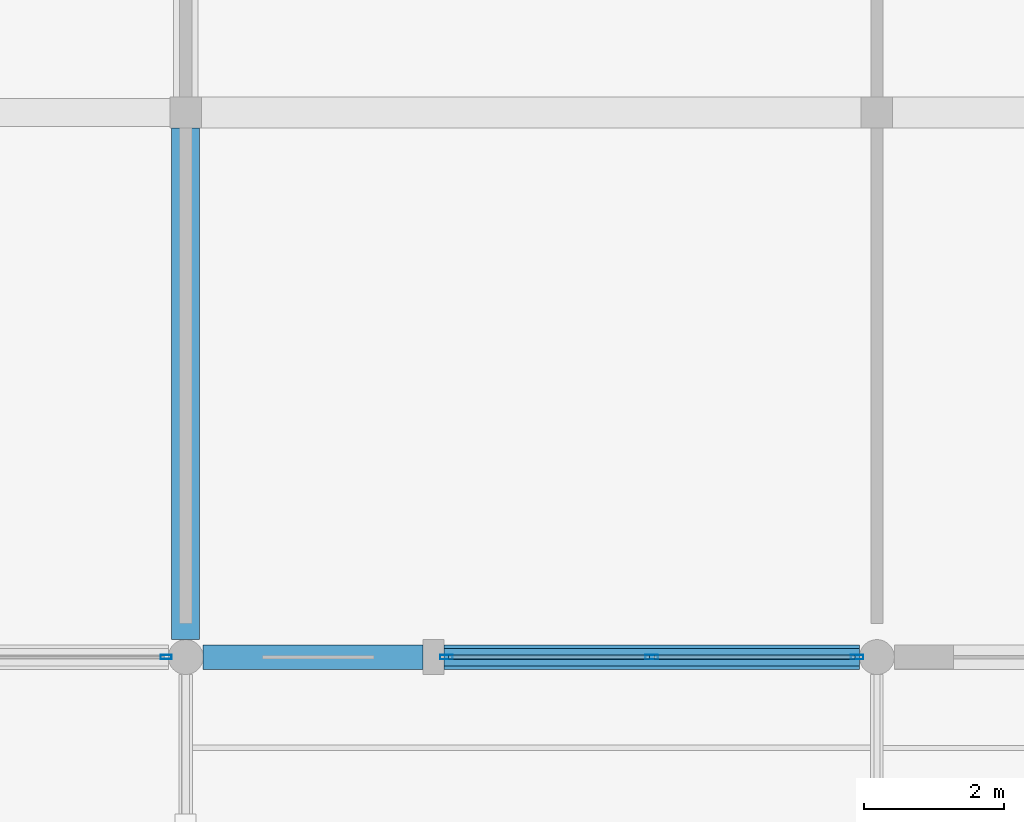
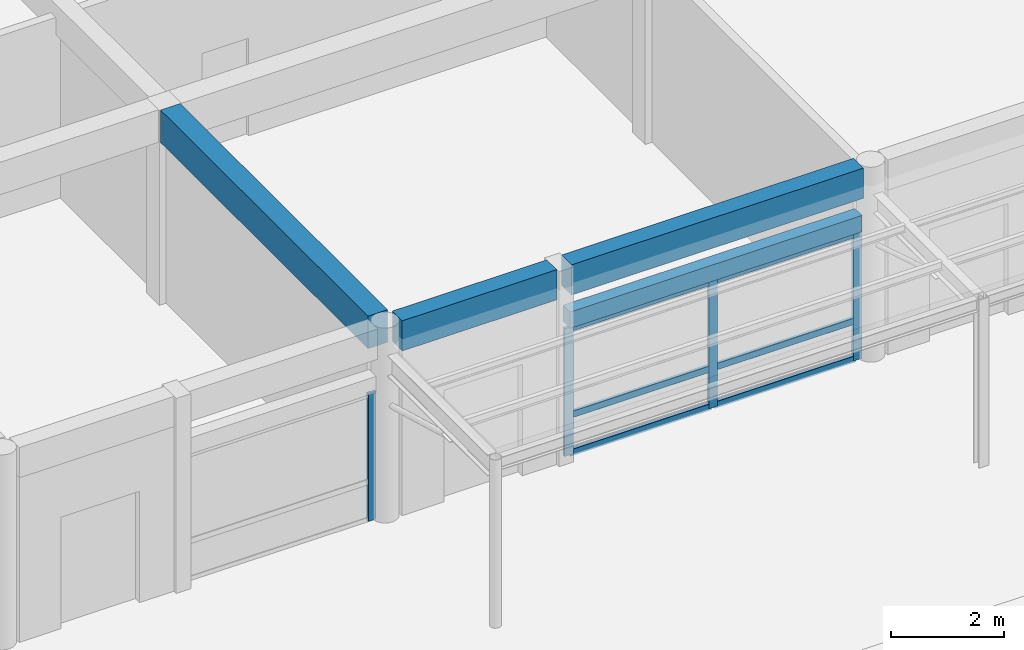
# One storey, part 17 of 75: 10 members, 4 beams, 2 elements without a shape of their own.
"""IFC4 building model written with IfcOpenShell, lengths in metres."""

from ifc_helpers import new_model, si_unit, direction, frame, origin, origin_2d, place, context, subcontext, project, spatial, rectangle, hollow_rectangle, extrude, material, material_profile, profile_set, type_object, element, aggregate, save


model = new_model("IFC4")

# Units and contexts
model_context = context("Model", 3, precision=1e-05, world=origin(), true_north=direction((0.0, 1.0)))
body_context = subcontext(model_context, "Body", "Model", "MODEL_VIEW")
ifc_project = project(units=[si_unit("LENGTHUNIT", "METRE"), si_unit("AREAUNIT", "SQUARE_METRE"), si_unit("VOLUMEUNIT", "CUBIC_METRE"), si_unit("PLANEANGLEUNIT", "RADIAN"), si_unit("MASSUNIT", "GRAM", prefix="KILO")], contexts=[model_context])

# Site, building, storey
site_placement = place(None, origin())
site = spatial("IfcSite", under=ifc_project, at=site_placement, CompositionType="ELEMENT")
building_placement = place(site_placement, origin())
building = spatial("IfcBuilding", under=site, at=building_placement, Name="Kernevlak Ridge Housing Community", CompositionType="ELEMENT")
storey_placement = place(building_placement, origin())
storey = spatial("IfcBuildingStorey", under=building, at=storey_placement, Name="L00", CompositionType="ELEMENT", Elevation=0.0)

# Beams
ifc_material_1 = material(Name="Concrete C35/45", Category="concrete")
ifc_material_profile_1 = material_profile(ifc_material_1, rectangle(XDim=0.39990234375, YDim=0.699951171875, at=origin_2d()), Name="RC 400x700")
ifc_profile_set_1 = profile_set([ifc_material_profile_1], Name="Concrete C35/45")
beam_type_1 = type_object("IfcBeamType", Name="B-01", PredefinedType="BEAM", material=ifc_profile_set_1)
beam_1_placement = place(storey_placement, frame((64.199951171875, 8.050048828125, 3.85009765625), z_axis=(0.0, 1.0, 0.0), x_axis=(-1.0, 0.0, 0.0)))
element("IfcBeam", 1, at=beam_1_placement, inside=storey, type_object=beam_type_1, Name="Beam B-01 L00 2313", PredefinedType="BEAM", context=body_context, shape_type="SweptSolid", body=[
    extrude(rectangle(XDim=0.39990234375, YDim=0.699951171875, at=origin_2d()), origin(), (0.0, 0.0, 1.0), 7.324951171875),
])
ifc_material_profile_2 = material_profile(ifc_material_1, rectangle(XDim=0.35009765625, YDim=0.64990234375, at=origin_2d()), Name="RC 350x650")
ifc_profile_set_2 = profile_set([ifc_material_profile_2], Name="Concrete C35/45")
beam_type_2 = type_object("IfcBeamType", Name="B-02", PredefinedType="BEAM", material=ifc_profile_set_2)
beam_2_placement = place(storey_placement, frame((64.449951171875, 7.800048828125, 3.875), z_axis=(1.0, 0.0, 0.0), x_axis=(0.0, 1.0, 0.0)))
element("IfcBeam", 2, at=beam_2_placement, inside=storey, type_object=beam_type_2, Name="Beam B-02 L00 2043", PredefinedType="BEAM", context=body_context, shape_type="SweptSolid", body=[
    extrude(rectangle(XDim=0.35009765625, YDim=0.64990234375, at=origin_2d()), origin(), (0.0, 0.0, 1.0), 3.150146484375),
])
beam_3_placement = place(storey_placement, frame((67.89990234375, 7.800048828125, 3.875), z_axis=(1.0, 0.0, 0.0), x_axis=(0.0, 1.0, 0.0)))
element("IfcBeam", 3, at=beam_3_placement, inside=storey, type_object=beam_type_2, Name="Beam B-02 L00 2044", PredefinedType="BEAM", context=body_context, shape_type="SweptSolid", body=[
    extrude(rectangle(XDim=0.35009765625, YDim=0.64990234375, at=origin_2d()), origin(), (0.0, 0.0, 1.0), 5.9501953125),
])
ifc_material_profile_3 = material_profile(ifc_material_1, rectangle(XDim=0.25, YDim=0.35009765625, at=origin_2d()), Name="RC 250x350")
ifc_profile_set_3 = profile_set([ifc_material_profile_3], Name="Concrete C35/45")
beam_type_3 = type_object("IfcBeamType", Name="LN-01", PredefinedType="LINTEL", material=ifc_profile_set_3)
beam_4_placement = place(storey_placement, frame((67.89990234375, 7.800048828125, 2.97509765625), z_axis=(1.0, 0.0, 0.0), x_axis=(0.0, 1.0, 0.0)))
element("IfcBeam", 4, at=beam_4_placement, inside=storey, type_object=beam_type_3, Name="Beam LN-01 L00 2460", PredefinedType="LINTEL", context=body_context, shape_type="SweptSolid", body=[
    extrude(rectangle(XDim=0.25, YDim=0.35009765625, at=origin_2d()), origin(), (0.0, 0.0, 1.0), 5.9501953125),
])

# Curtain wall, member
ifc_material_2 = material(Name="Aluminium EN AW-6060 anodised and laminated glass", Category="aluminium")
curtain_wall_type_1 = type_object("IfcCurtainWallType", Name="CW-01", PredefinedType="NOTDEFINED", material=ifc_material_2)
curtain_wall_1_placement = place(storey_placement, origin())
curtain_wall_1 = element("IfcCurtainWall", 5, at=curtain_wall_1_placement, inside=storey, type_object=curtain_wall_type_1, Name="Curtain wall CW-01 CW-L00-169", PredefinedType="NOTDEFINED")
ifc_material_3 = material(Name="Aluminium EN AW-6060 anodised", Category="aluminium")
ifc_material_profile_4 = material_profile(ifc_material_3, hollow_rectangle(XDim=0.06005859375, YDim=0.159912109375, WallThickness=0.00390625, InnerFilletRadius=0.001953125, OuterFilletRadius=0.00390625, at=origin_2d()), Name="ALU 60x160x4")
ifc_profile_set_4 = profile_set([ifc_material_profile_4], Name="Aluminium EN AW-6060 anodised")
member_type_1 = type_object("IfcMemberType", Name="MU-02", PredefinedType="MULLION", material=ifc_profile_set_4)
member_1_placement = place(storey_placement, frame((63.919921875, 7.800048828125, 0.0), z_axis=(0.0, 0.0, 1.0), x_axis=(0.0, 1.0, 0.0)))
member_1 = element("IfcMember", 6, at=member_1_placement, type_object=member_type_1, Name="CW-01 mullion 2", PredefinedType="MULLION", context=body_context, shape_type="SweptSolid", body=[
    extrude(hollow_rectangle(XDim=0.06005859375, YDim=0.159912109375, WallThickness=0.00390625, InnerFilletRadius=0.001953125, OuterFilletRadius=0.00390625, at=origin_2d()), origin(), (0.0, 0.0, 1.0), 2.75),
])
aggregate(curtain_wall_1, [member_1])

# Curtain wall, members
curtain_wall_type_2 = type_object("IfcCurtainWallType", Name="CW-02", PredefinedType="NOTDEFINED", material=ifc_material_2)
curtain_wall_2_placement = place(storey_placement, origin())
curtain_wall_2 = element("IfcCurtainWall", 7, at=curtain_wall_2_placement, inside=storey, type_object=curtain_wall_type_2, Name="Curtain wall CW-02 CW-L00-170", PredefinedType="NOTDEFINED")
ifc_material_profile_5 = material_profile(ifc_material_3, hollow_rectangle(XDim=0.06494140625, YDim=0.179931640625, WallThickness=0.00439453125, InnerFilletRadius=0.001953125, OuterFilletRadius=0.00439453125, at=origin_2d()), Name="ALU 65x180x4.5")
ifc_profile_set_5 = profile_set([ifc_material_profile_5], Name="Aluminium EN AW-6060 anodised")
member_type_2 = type_object("IfcMemberType", Name="MU-03", PredefinedType="MULLION", material=ifc_profile_set_5)
member_2_placement = place(storey_placement, frame((67.9326171875, 7.800048828125, 0.0), z_axis=(0.0, 0.0, 1.0), x_axis=(0.0, 1.0, 0.0)))
member_2 = element("IfcMember", 8, at=member_2_placement, type_object=member_type_2, Name="CW-02 mullion 1", PredefinedType="MULLION", context=body_context, shape_type="SweptSolid", body=[
    extrude(hollow_rectangle(XDim=0.06494140625, YDim=0.179931640625, WallThickness=0.00439453125, InnerFilletRadius=0.001953125, OuterFilletRadius=0.00439453125, at=origin_2d()), origin(), (0.0, 0.0, 1.0), 2.75),
])
member_3_placement = place(storey_placement, frame((70.875, 7.800048828125, 0.0), z_axis=(0.0, 0.0, 1.0), x_axis=(0.0, 1.0, 0.0)))
member_3 = element("IfcMember", 9, at=member_3_placement, type_object=member_type_2, Name="CW-02 mullion 2", PredefinedType="MULLION", context=body_context, shape_type="SweptSolid", body=[
    extrude(hollow_rectangle(XDim=0.06494140625, YDim=0.179931640625, WallThickness=0.00439453125, InnerFilletRadius=0.001953125, OuterFilletRadius=0.00439453125, at=origin_2d()), origin(), (0.0, 0.0, 1.0), 2.75),
])
member_4_placement = place(storey_placement, frame((73.8173828125, 7.800048828125, 0.0), z_axis=(0.0, 0.0, 1.0), x_axis=(0.0, 1.0, 0.0)))
member_4 = element("IfcMember", 10, at=member_4_placement, type_object=member_type_2, Name="CW-02 mullion 3", PredefinedType="MULLION", context=body_context, shape_type="SweptSolid", body=[
    extrude(hollow_rectangle(XDim=0.06494140625, YDim=0.179931640625, WallThickness=0.00439453125, InnerFilletRadius=0.001953125, OuterFilletRadius=0.00439453125, at=origin_2d()), origin(), (0.0, 0.0, 1.0), 2.75),
])
ifc_material_profile_6 = material_profile(ifc_material_3, hollow_rectangle(XDim=0.06494140625, YDim=0.139892578125, WallThickness=0.00390625, InnerFilletRadius=0.001953125, OuterFilletRadius=0.00390625, at=origin_2d()), Name="ALU 65x140x4")
ifc_profile_set_6 = profile_set([ifc_material_profile_6], Name="Aluminium EN AW-6060 anodised")
member_type_3 = type_object("IfcMemberType", Name="TM-03", PredefinedType="USERDEFINED", material=ifc_profile_set_6)
member_5_placement = place(storey_placement, frame((67.965087890625, 7.800048828125, 0.032470703125), z_axis=(1.0, 0.0, 0.0), x_axis=(0.0, 1.0, 0.0)))
member_5 = element("IfcMember", 11, at=member_5_placement, type_object=member_type_3, Name="CW-02 transom 1.1", ObjectType="TRANSOM", PredefinedType="USERDEFINED", context=body_context, shape_type="SweptSolid", body=[
    extrude(hollow_rectangle(XDim=0.06494140625, YDim=0.139892578125, WallThickness=0.00390625, InnerFilletRadius=0.001953125, OuterFilletRadius=0.00390625, at=origin_2d()), origin(), (0.0, 0.0, 1.0), 2.87744140625),
])
member_6_placement = place(storey_placement, frame((67.965087890625, 7.800048828125, 0.85009765625), z_axis=(1.0, 0.0, 0.0), x_axis=(0.0, 1.0, 0.0)))
member_6 = element("IfcMember", 12, at=member_6_placement, type_object=member_type_3, Name="CW-02 transom 1.2", ObjectType="TRANSOM", PredefinedType="USERDEFINED", context=body_context, shape_type="SweptSolid", body=[
    extrude(hollow_rectangle(XDim=0.06494140625, YDim=0.139892578125, WallThickness=0.00390625, InnerFilletRadius=0.001953125, OuterFilletRadius=0.00390625, at=origin_2d()), origin(), (0.0, 0.0, 1.0), 2.87744140625),
])
member_7_placement = place(storey_placement, frame((67.965087890625, 7.800048828125, 2.717529296875), z_axis=(1.0, 0.0, 0.0), x_axis=(0.0, 1.0, 0.0)))
member_7 = element("IfcMember", 13, at=member_7_placement, type_object=member_type_3, Name="CW-02 transom 1.3", ObjectType="TRANSOM", PredefinedType="USERDEFINED", context=body_context, shape_type="SweptSolid", body=[
    extrude(hollow_rectangle(XDim=0.06494140625, YDim=0.139892578125, WallThickness=0.00390625, InnerFilletRadius=0.001953125, OuterFilletRadius=0.00390625, at=origin_2d()), origin(), (0.0, 0.0, 1.0), 2.87744140625),
])
member_8_placement = place(storey_placement, frame((70.907470703125, 7.800048828125, 0.032470703125), z_axis=(1.0, 0.0, 0.0), x_axis=(0.0, 1.0, 0.0)))
member_8 = element("IfcMember", 14, at=member_8_placement, type_object=member_type_3, Name="CW-02 transom 2.1", ObjectType="TRANSOM", PredefinedType="USERDEFINED", context=body_context, shape_type="SweptSolid", body=[
    extrude(hollow_rectangle(XDim=0.06494140625, YDim=0.139892578125, WallThickness=0.00390625, InnerFilletRadius=0.001953125, OuterFilletRadius=0.00390625, at=origin_2d()), origin(), (0.0, 0.0, 1.0), 2.87744140625),
])
member_9_placement = place(storey_placement, frame((70.907470703125, 7.800048828125, 0.85009765625), z_axis=(1.0, 0.0, 0.0), x_axis=(0.0, 1.0, 0.0)))
member_9 = element("IfcMember", 15, at=member_9_placement, type_object=member_type_3, Name="CW-02 transom 2.2", ObjectType="TRANSOM", PredefinedType="USERDEFINED", context=body_context, shape_type="SweptSolid", body=[
    extrude(hollow_rectangle(XDim=0.06494140625, YDim=0.139892578125, WallThickness=0.00390625, InnerFilletRadius=0.001953125, OuterFilletRadius=0.00390625, at=origin_2d()), origin(), (0.0, 0.0, 1.0), 2.87744140625),
])
member_10_placement = place(storey_placement, frame((70.907470703125, 7.800048828125, 2.717529296875), z_axis=(1.0, 0.0, 0.0), x_axis=(0.0, 1.0, 0.0)))
member_10 = element("IfcMember", 16, at=member_10_placement, type_object=member_type_3, Name="CW-02 transom 2.3", ObjectType="TRANSOM", PredefinedType="USERDEFINED", context=body_context, shape_type="SweptSolid", body=[
    extrude(hollow_rectangle(XDim=0.06494140625, YDim=0.139892578125, WallThickness=0.00390625, InnerFilletRadius=0.001953125, OuterFilletRadius=0.00390625, at=origin_2d()), origin(), (0.0, 0.0, 1.0), 2.87744140625),
])
aggregate(curtain_wall_2, [member_2, member_3, member_4, member_5, member_6, member_7, member_8, member_9, member_10])

save(model, "model.ifc")
